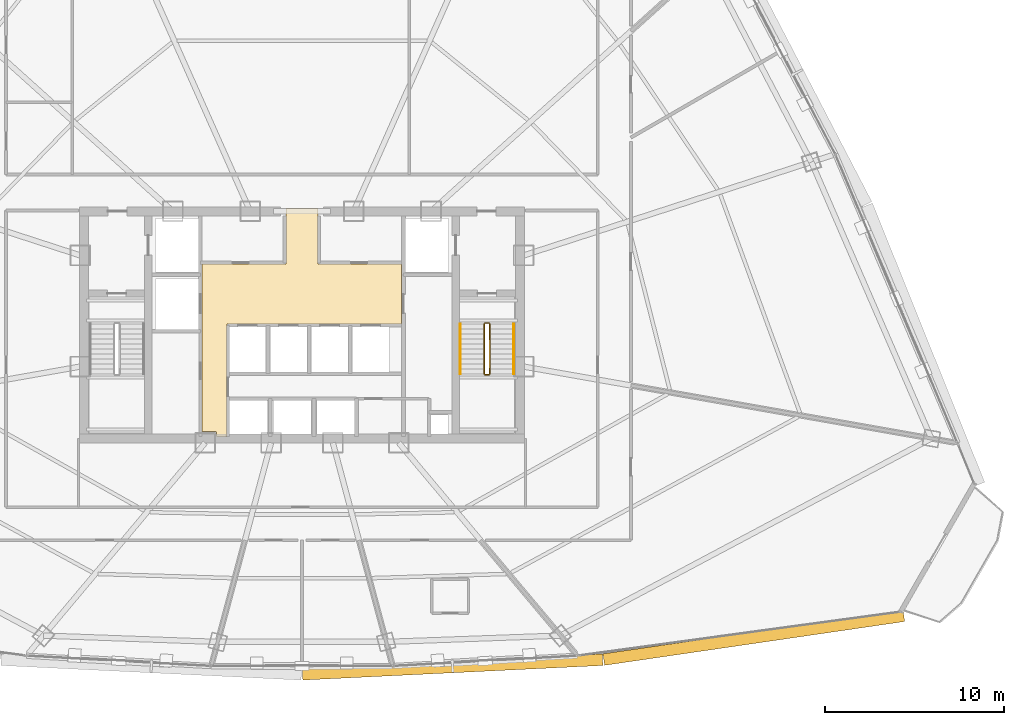
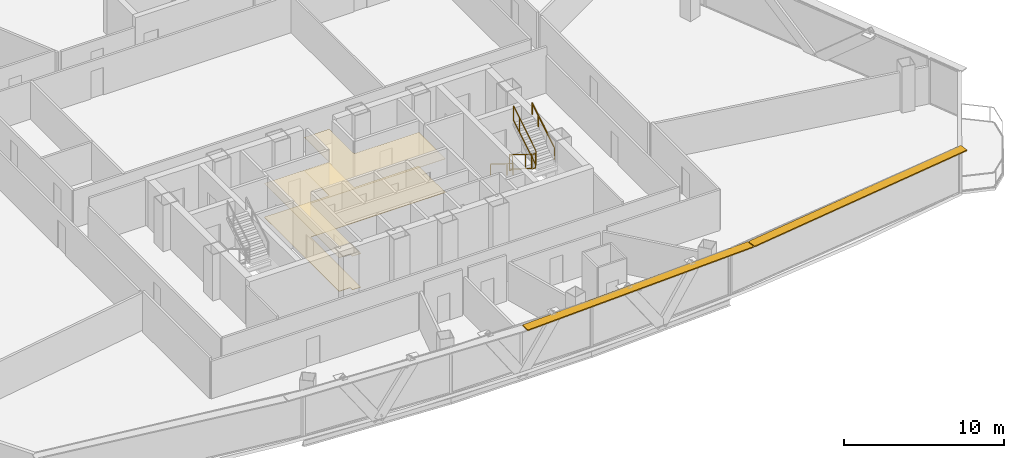
# One storey, part 34 of 36: 6 railings, 2 coverings, 2 shading devices.
"""IFC4 building model written with IfcOpenShell, lengths in metres."""

from ifc_helpers import new_model, si_unit, direction, frame, origin, origin_2d, place, context, subcontext, project, spatial, polyline, rectangle, outline, extrude, source, transform, mapped, material, layer, layer_set, type_object, element, save


model = new_model("IFC4")

# Units and contexts
model_context = context("Model", 3, precision=1e-05, world=origin(), true_north=direction((0.0, 1.0)))
body_context = subcontext(model_context, "Body", "Model", "MODEL_VIEW")
ifc_project = project(units=[si_unit("LENGTHUNIT", "METRE"), si_unit("AREAUNIT", "SQUARE_METRE"), si_unit("VOLUMEUNIT", "CUBIC_METRE"), si_unit("PLANEANGLEUNIT", "RADIAN"), si_unit("MASSUNIT", "GRAM", prefix="KILO"), si_unit("THERMODYNAMICTEMPERATUREUNIT", "KELVIN"), si_unit("POWERUNIT", "WATT")], contexts=[model_context])

# Site, building, storey
site_placement = place(None, origin())
site = spatial("IfcSite", under=ifc_project, at=site_placement, CompositionType="ELEMENT")
building_placement = place(site_placement, origin())
building = spatial("IfcBuilding", under=site, at=building_placement, Name="Yunzhuo Pagoda Commons", CompositionType="ELEMENT")
storey_placement = place(building_placement, frame((0.0, 0.0, 215.159912109375)))
storey = spatial("IfcBuildingStorey", under=building, at=storey_placement, Name="L54", CompositionType="ELEMENT", Elevation=215.159912109375)

# Coverings
ifc_material_1 = material(Name="Perforated gypsum acoustic ceiling tile")
ifc_layer_1 = layer(ifc_material_1, 0.030029296875)
ifc_layer_set_1 = layer_set([ifc_layer_1], Name="Perforated gypsum acoustic ceiling tile")
covering_type_1 = type_object("IfcCoveringType", Name="COV-CL2 Ceiling 30", PredefinedType="CEILING", material=ifc_layer_set_1)
covering_1_placement = place(storey_placement, frame((0.0, 0.0, 2.570068359375)))
element("IfcCovering", 1, at=covering_1_placement, inside=storey, type_object=covering_type_1, Name="L54 lift lobby acoustic ceiling", PredefinedType="CEILING", context=body_context, shape_type="SweptSolid", body=[
    extrude(outline(polyline([(43.207763671875, 27.85009765625), (43.201904296875, 27.864013671875), (43.187744140625, 27.8701171875), (42.39990234375, 27.8701171875), (42.39990234375, 33.89990234375), (42.39990234375, 37.25), (47.10009765625, 37.25), (47.10009765625, 40.35009765625), (48.89990234375, 40.35009765625), (48.89990234375, 37.25), (53.580078125, 37.25), (53.580078125, 33.89990234375), (43.820068359375, 33.89990234375), (43.820068359375, 27.60009765625), (43.207763671875, 27.60009765625), (43.207763671875, 27.85009765625)])), origin(), (0.0, 0.0, 1.0), 0.030029296875),
])
ifc_material_2 = material(Name="Porcelain ceramic floor tile")
ifc_layer_2 = layer(ifc_material_2, 0.02001953125)
ifc_layer_set_2 = layer_set([ifc_layer_2], Name="Porcelain ceramic floor tile")
covering_type_2 = type_object("IfcCoveringType", Name="COV-FL1 Flooring 20", PredefinedType="FLOORING", material=ifc_layer_set_2)
covering_2_placement = place(storey_placement, origin())
element("IfcCovering", 2, at=covering_2_placement, inside=storey, type_object=covering_type_2, Name="L54 lift lobby flooring", PredefinedType="FLOORING", context=body_context, shape_type="SweptSolid", body=[
    extrude(outline(polyline([(43.207763671875, 27.85009765625), (43.201904296875, 27.864013671875), (43.187744140625, 27.8701171875), (42.39990234375, 27.8701171875), (42.39990234375, 33.89990234375), (42.39990234375, 37.25), (47.10009765625, 37.25), (47.10009765625, 40.35009765625), (48.89990234375, 40.35009765625), (48.89990234375, 37.25), (53.580078125, 37.25), (53.580078125, 33.89990234375), (43.820068359375, 33.89990234375), (43.820068359375, 27.60009765625), (43.207763671875, 27.60009765625), (43.207763671875, 27.85009765625)])), origin(), (0.0, 0.0, 1.0), 0.02001953125),
])

# Railings
ifc_material_3 = material(Name="Anodized aluminium 6063-T6", Category="aluminium")
railing_type_1 = type_object("IfcRailingType", Name="GR-ST2 Stair Well Guardrail 1160", PredefinedType="GUARDRAIL", material=ifc_material_3)
railing_1_placement = place(storey_placement, frame((58.199951171875, 33.89990234375, 0.1728515625)))
element("IfcRailing", 3, at=railing_1_placement, inside=storey, type_object=railing_type_1, Name="L54 ST2 stair guard 1", PredefinedType="GUARDRAIL", context=body_context, shape_type="SweptSolid", body=[
    extrude(rectangle(XDim=0.048095703125, YDim=0.048095703125, at=origin_2d()), frame((0.0, 0.0, 1.1259765625), z_axis=(0.0, -0.851069175582, 0.525053576669), x_axis=(1.0, 0.0, 0.0)), (0.0, 0.0, 1.0), 3.289794921875),
    extrude(rectangle(XDim=0.048095703125, YDim=0.048095703125, at=origin_2d()), frame((0.0, 0.0, 0.02392578125), z_axis=(0.0, -0.851069175582, 0.525053576669), x_axis=(1.0, 0.0, 0.0)), (0.0, 0.0, 1.0), 3.289794921875),
    extrude(rectangle(XDim=0.0419921875, YDim=0.0419921875, at=origin_2d()), origin(), (0.0, 0.0, 1.0), 1.101806640625),
    extrude(rectangle(XDim=0.0419921875, YDim=0.0419921875, at=origin_2d()), frame((0.0, -2.04248046875, 1.260009765625)), (0.0, 0.0, 1.0), 1.101806640625),
    extrude(rectangle(XDim=0.0419921875, YDim=0.0419921875, at=origin_2d()), frame((0.0, -2.7998046875, 1.727294921875)), (0.0, 0.0, 1.0), 1.101806640625),
])
railing_2_placement = place(storey_placement, frame((58.25, 31.050048828125, 1.900146484375)))
element("IfcRailing", 4, at=railing_2_placement, inside=storey, type_object=railing_type_1, Name="L54 ST2 stair guard 2", PredefinedType="GUARDRAIL", context=body_context, shape_type="SweptSolid", body=[
    extrude(rectangle(XDim=0.048095703125, YDim=0.048095703125, at=origin_2d()), frame((0.0, 0.0, 1.1259765625), z_axis=(1.0, 0.0, 0.0), x_axis=(0.0, 1.0, 0.0)), (0.0, 0.0, 1.0), 0.199951171875),
    extrude(rectangle(XDim=0.048095703125, YDim=0.048095703125, at=origin_2d()), frame((0.0, 0.0, 0.02392578125), z_axis=(1.0, 0.0, 0.0), x_axis=(0.0, 1.0, 0.0)), (0.0, 0.0, 1.0), 0.199951171875),
    extrude(rectangle(XDim=0.0419921875, YDim=0.0419921875, at=origin_2d()), origin(), (0.0, 0.0, 1.0), 1.101806640625),
    extrude(rectangle(XDim=0.0419921875, YDim=0.0419921875, at=origin_2d()), frame((0.199951171875, 0.0, 0.0)), (0.0, 0.0, 1.0), 1.101806640625),
])
railing_3_placement = place(storey_placement, frame((58.5, 31.10009765625, 2.07275390625)))
element("IfcRailing", 5, at=railing_3_placement, inside=storey, type_object=railing_type_1, Name="L54 ST2 stair guard 3", PredefinedType="GUARDRAIL", context=body_context, shape_type="SweptSolid", body=[
    extrude(rectangle(XDim=0.048095703125, YDim=0.048095703125, at=origin_2d()), frame((0.0, 0.0, 1.1259765625), z_axis=(0.0, 0.851069175582, 0.525053576669), x_axis=(-1.0, 0.0, 0.0)), (0.0, 0.0, 1.0), 3.289794921875),
    extrude(rectangle(XDim=0.048095703125, YDim=0.048095703125, at=origin_2d()), frame((0.0, 0.0, 0.02392578125), z_axis=(0.0, 0.851069175582, 0.525053576669), x_axis=(-1.0, 0.0, 0.0)), (0.0, 0.0, 1.0), 3.289794921875),
    extrude(rectangle(XDim=0.0419921875, YDim=0.0419921875, at=origin_2d()), origin(), (0.0, 0.0, 1.0), 1.101806640625),
    extrude(rectangle(XDim=0.0419921875, YDim=0.0419921875, at=origin_2d()), frame((0.0, 2.04248046875, 1.260009765625)), (0.0, 0.0, 1.0), 1.101806640625),
    extrude(rectangle(XDim=0.0419921875, YDim=0.0419921875, at=origin_2d()), frame((0.0, 2.7998046875, 1.727294921875)), (0.0, 0.0, 1.0), 1.101806640625),
])
railing_4_placement = place(storey_placement, frame((58.25, 33.949951171875, 0.0)))
element("IfcRailing", 6, at=railing_4_placement, inside=storey, type_object=railing_type_1, Name="L54 ST2 stair guard 4", PredefinedType="GUARDRAIL", context=body_context, shape_type="SweptSolid", body=[
    extrude(rectangle(XDim=0.048095703125, YDim=0.048095703125, at=origin_2d()), frame((0.0, 0.0, 1.1259765625), z_axis=(1.0, 0.0, 0.0), x_axis=(0.0, 1.0, 0.0)), (0.0, 0.0, 1.0), 0.199951171875),
    extrude(rectangle(XDim=0.048095703125, YDim=0.048095703125, at=origin_2d()), frame((0.0, 0.0, 0.02392578125), z_axis=(1.0, 0.0, 0.0), x_axis=(0.0, 1.0, 0.0)), (0.0, 0.0, 1.0), 0.199951171875),
    extrude(rectangle(XDim=0.0419921875, YDim=0.0419921875, at=origin_2d()), origin(), (0.0, 0.0, 1.0), 1.101806640625),
    extrude(rectangle(XDim=0.0419921875, YDim=0.0419921875, at=origin_2d()), frame((0.199951171875, 0.0, 0.0)), (0.0, 0.0, 1.0), 1.101806640625),
])
railing_type_2 = type_object("IfcRailingType", Name="HR-ST2 Stair Handrail 900", PredefinedType="HANDRAIL", material=ifc_material_3)
railing_5_placement = place(storey_placement, frame((56.85009765625, 33.89990234375, 0.1728515625)))
element("IfcRailing", 7, at=railing_5_placement, inside=storey, type_object=railing_type_2, Name="L54 ST2 stair handrail 1", PredefinedType="HANDRAIL", context=body_context, shape_type="SweptSolid", body=[
    extrude(rectangle(XDim=0.048095703125, YDim=0.048095703125, at=origin_2d()), frame((0.0, 0.0, 0.8759765625), z_axis=(0.0, -0.851069175582, 0.525053576669), x_axis=(1.0, 0.0, 0.0)), (0.0, 0.0, 1.0), 3.289794921875),
    extrude(rectangle(XDim=0.0419921875, YDim=0.0419921875, at=origin_2d()), origin(), (0.0, 0.0, 1.0), 0.851806640625),
    extrude(rectangle(XDim=0.0419921875, YDim=0.0419921875, at=origin_2d()), frame((0.0, -2.04248046875, 1.260009765625)), (0.0, 0.0, 1.0), 0.851806640625),
    extrude(rectangle(XDim=0.0419921875, YDim=0.0419921875, at=origin_2d()), frame((0.0, -2.7998046875, 1.727294921875)), (0.0, 0.0, 1.0), 0.851806640625),
])
railing_6_placement = place(storey_placement, frame((59.85009765625, 31.10009765625, 2.07275390625)))
element("IfcRailing", 8, at=railing_6_placement, inside=storey, type_object=railing_type_2, Name="L54 ST2 stair handrail 2", PredefinedType="HANDRAIL", context=body_context, shape_type="SweptSolid", body=[
    extrude(rectangle(XDim=0.048095703125, YDim=0.048095703125, at=origin_2d()), frame((0.0, 0.0, 0.8759765625), z_axis=(0.0, 0.851069175582, 0.525053576669), x_axis=(-1.0, 0.0, 0.0)), (0.0, 0.0, 1.0), 3.289794921875),
    extrude(rectangle(XDim=0.0419921875, YDim=0.0419921875, at=origin_2d()), origin(), (0.0, 0.0, 1.0), 0.851806640625),
    extrude(rectangle(XDim=0.0419921875, YDim=0.0419921875, at=origin_2d()), frame((0.0, 2.04248046875, 1.260009765625)), (0.0, 0.0, 1.0), 0.851806640625),
    extrude(rectangle(XDim=0.0419921875, YDim=0.0419921875, at=origin_2d()), frame((0.0, 2.7998046875, 1.727294921875)), (0.0, 0.0, 1.0), 0.851806640625),
])

# Shading devices
ifc_layer_3 = layer(ifc_material_3, 0.080078125)
ifc_layer_set_3 = layer_set([ifc_layer_3], Name="Anodized aluminium 6063-T6")
shading_device_type = type_object("IfcShadingDeviceType", Name="SH-SUN1 Pagoda Horizontal Sunshade Eave 650", PredefinedType="USERDEFINED", material=ifc_layer_set_3)
shared_shape_1 = source(origin(), body_context, "Body", "SweptSolid", [
    extrude(rectangle(XDim=16.96484375, YDim=0.64990234375, at=origin_2d()), origin(), (0.0, 0.0, 1.0), 0.080078125),
])
shading_device_1_placement = place(storey_placement, frame((73.2744140625, 16.34912109375, 3.43994140625), z_axis=(0.0, 0.0, 1.0), x_axis=(0.989510666697, 0.144459823108, 0.0)))
element("IfcShadingDevice", 9, at=shading_device_1_placement, inside=storey, type_object=shading_device_type, Name="L54 horizontal pagoda sunshade eave F1.4", ObjectType="SUNSHADE", PredefinedType="USERDEFINED", context=body_context, shape_type="MappedRepresentation", body=[
    mapped(shared_shape_1, transform((0.0, 0.0, 0.0), scale=1.0)),
])
shared_shape_2 = source(origin(), body_context, "Body", "SweptSolid", [
    extrude(rectangle(XDim=16.806396484375, YDim=0.64990234375, at=origin_2d()), origin(), (0.0, 0.0, 1.0), 0.080078125),
])
shading_device_2_placement = place(storey_placement, frame((56.4248046875, 14.70947265625, 3.43994140625), z_axis=(0.0, 0.0, 1.0), x_axis=(0.998818043775, 0.04860571396, 0.0)))
element("IfcShadingDevice", 10, at=shading_device_2_placement, inside=storey, type_object=shading_device_type, Name="L54 horizontal pagoda sunshade eave F1.3", ObjectType="SUNSHADE", PredefinedType="USERDEFINED", context=body_context, shape_type="MappedRepresentation", body=[
    mapped(shared_shape_2, transform((0.0, 0.0, 0.0), scale=1.0)),
])

save(model, "model.ifc")
